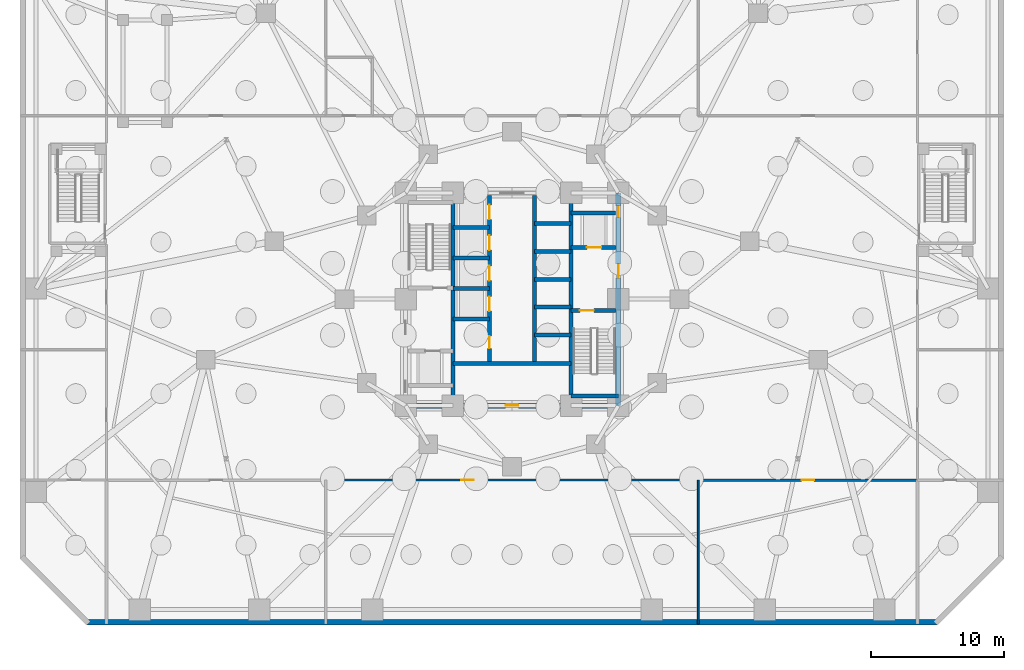
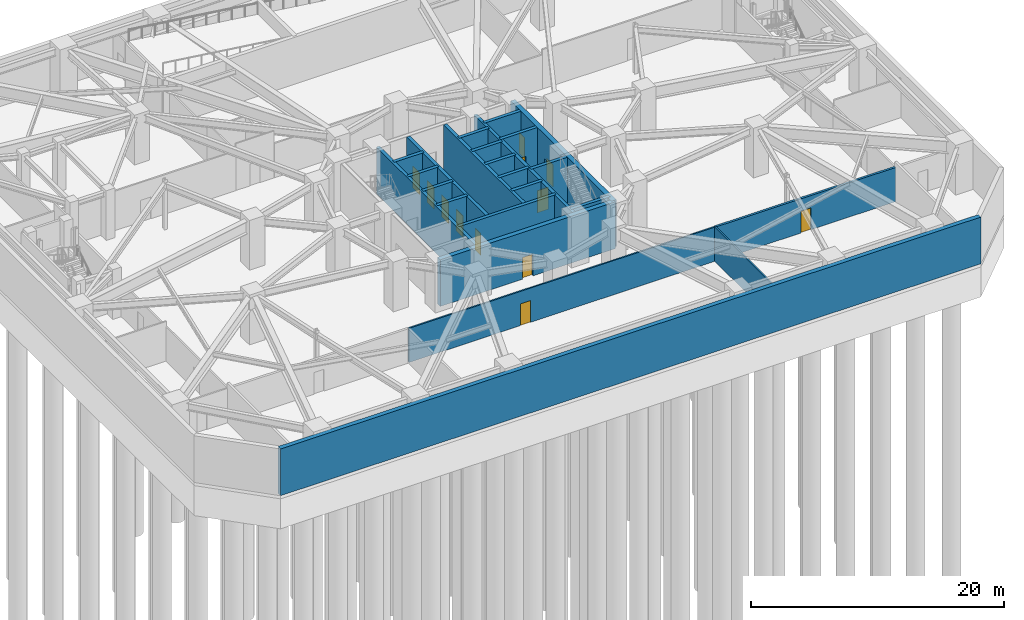
# One storey, part 13 of 20: 24 walls, 12 doors, 12 openings.
"""IFC4 building model written with IfcOpenShell, lengths in metres."""

from ifc_helpers import new_model, si_unit, direction, frame, frame_2d, origin, place, context, subcontext, project, spatial, rectangle, extrude, material, layer, layer_set, type_object, element, fill, save


model = new_model("IFC4")

# Units and contexts
model_context = context("Model", 3, precision=1e-05, world=origin(), true_north=direction((0.0, 1.0)))
body_context = subcontext(model_context, "Body", "Model", "MODEL_VIEW")
ifc_project = project(units=[si_unit("LENGTHUNIT", "METRE"), si_unit("AREAUNIT", "SQUARE_METRE"), si_unit("VOLUMEUNIT", "CUBIC_METRE"), si_unit("PLANEANGLEUNIT", "RADIAN"), si_unit("MASSUNIT", "GRAM", prefix="KILO")], contexts=[model_context])

# Site, building, storey
site_placement = place(None, origin())
site = spatial("IfcSite", under=ifc_project, at=site_placement, CompositionType="ELEMENT")
building_placement = place(site_placement, origin())
building = spatial("IfcBuilding", under=site, at=building_placement, Name="Terralouvre Media Tower", CompositionType="ELEMENT")
storey_placement = place(building_placement, frame((0.0, 0.0, -9.60009765625)))
storey = spatial("IfcBuildingStorey", under=building, at=storey_placement, Name="B02", CompositionType="ELEMENT", Elevation=-9.60009765625)

# Walls
ifc_material_1 = material(Name="Concrete C50/60", Category="concrete")
ifc_layer_1 = layer(ifc_material_1, 0.39990234375, Name="Basement Perimeter Retaining Wall EW-RC400")
ifc_layer_set_1 = layer_set([ifc_layer_1], Name="Concrete C50/60")
wall_type_1 = type_object("IfcWallType", Name="Basement Perimeter Retaining Wall EW-RC400", PredefinedType="USERDEFINED", material=ifc_layer_set_1)
wall_1_placement = place(storey_placement, frame((-32.0, -24.300048828125, 0.0), z_axis=(0.0, 0.0, 1.0), x_axis=(1.0, 0.0, 0.0)))
element("IfcWall", 1, at=wall_1_placement, inside=storey, type_object=wall_type_1, Name="B02 Perimeter Retaining Wall 01", ObjectType="RETAINING", PredefinedType="USERDEFINED", context=body_context, shape_type="SweptSolid", body=[
    extrude(rectangle(XDim=64.0, YDim=0.39990234375, at=frame_2d((32.0, 0.0))), origin(), (0.0, 0.0, 1.0), 4.52001953125),
])
ifc_material_2 = material(Name="Concrete C50/60", Category="concrete")
ifc_layer_2 = layer(ifc_material_2, 0.300048828125, Name="Core Internal Shaft Wall CW-300")
ifc_layer_set_2 = layer_set([ifc_layer_2], Name="Concrete C50/60")
wall_type_2 = type_object("IfcWallType", Name="Core Internal Shaft Wall CW-300", PredefinedType="SHEAR", material=ifc_layer_set_2)
for number, where, z_axis, x_axis, name in (
    (2, (-4.449951171875, -7.7900390625, 0.0), (0.0, 0.0, 1.0), (0.0, 1.0, 0.0), "B02 Core Shaft Wall SPW"),
    (3, (4.449951171875, -7.7900390625, 0.0), (0.0, 0.0, 1.0), (0.0, 1.0, 0.0), "B02 Core Shaft Wall SPE"),
):
    element("IfcWall", number, at=place(storey_placement, frame(where, z_axis=z_axis, x_axis=x_axis)), inside=storey, type_object=wall_type_2, Name=name, PredefinedType="SHEAR", context=body_context, shape_type="SweptSolid", body=[
        extrude(rectangle(XDim=15.580078125, YDim=0.300048828125, at=frame_2d((7.7900390625, 0.0))), origin(), (0.0, 0.0, 1.0), 4.52001953125),
    ])

# Wall, opening, door
wall_2_placement = place(storey_placement, frame((4.449951171875, -0.85009765625, 0.0), z_axis=(0.0, 0.0, 1.0), x_axis=(1.0, 0.0, 0.0)))
wall_2 = element("IfcWall", 4, at=wall_2_placement, inside=storey, type_object=wall_type_2, Name="B02 Core Shaft Wall ST2D", PredefinedType="SHEAR", context=body_context, shape_type="SweptSolid", body=[
    extrude(rectangle(XDim=3.340087890625, YDim=0.300048828125, at=frame_2d((1.669921875, 0.0))), origin(), (0.0, 0.0, 1.0), 4.52001953125),
])
opening_1_placement = place(wall_2_placement, frame((0.64990234375, 0.0, 0.0)))
opening_1 = element("IfcOpeningElement", 5, at=opening_1_placement, cuts=wall_2, Name="Opening FD-01-105X215", PredefinedType="OPENING", context=body_context, shape_type="SweptSolid", body=[
    extrude(rectangle(XDim=1.050048828125, YDim=2.14990234375, at=frame_2d((0.52490234375, 1.074951171875))), frame((0.0, 0.159912109375, 0.0), z_axis=(0.0, -1.0, 0.0), x_axis=(1.0, 0.0, 0.0)), (0.0, 0.0, 1.0), 0.320068359375),
])
ifc_material_3 = material(Name="Galvanised steel fire-resisting leaf", Category="steel")
door_type_1 = type_object("IfcDoorType", Name="Stair and Firefighting Lobby Fire Door FD-01 (1050x2150)", OperationType="NOTDEFINED", PredefinedType="DOOR", material=ifc_material_3)
door_1_placement = place(opening_1_placement, origin())
door_1 = element("IfcDoor", 6, at=door_1_placement, inside=storey, type_object=door_type_1, Name="B02 ST-02 Exit Stair Door", OperationType="SINGLE_SWING_RIGHT", OverallHeight=2.14990234375, OverallWidth=1.050048828125, PredefinedType="DOOR", context=body_context, shape_type="SweptSolid", body=[
    extrude(rectangle(XDim=1.050048828125, YDim=2.14990234375, at=frame_2d((0.52490234375, 1.074951171875))), frame((0.0, 0.02490234375, 0.0), z_axis=(0.0, -1.0, 0.0), x_axis=(1.0, 0.0, 0.0)), (0.0, 0.0, 1.0), 0.050048828125),
])
fill(opening_1, door_1)

# Wall
wall_3_placement = place(storey_placement, frame((4.449951171875, -7.260009765625, 0.0), z_axis=(0.0, 0.0, 1.0), x_axis=(1.0, 0.0, 0.0)))
element("IfcWall", 7, at=wall_3_placement, inside=storey, type_object=wall_type_2, Name="B02 Core Shaft Wall ST2F", PredefinedType="SHEAR", context=body_context, shape_type="SweptSolid", body=[
    extrude(rectangle(XDim=3.550048828125, YDim=0.300048828125, at=frame_2d((1.77490234375, 0.0))), origin(), (0.0, 0.0, 1.0), 4.52001953125),
])

# Wall, opening, door
wall_4_placement = place(storey_placement, frame((4.449951171875, 3.89990234375, 0.0), z_axis=(0.0, 0.0, 1.0), x_axis=(1.0, 0.0, 0.0)))
wall_4 = element("IfcWall", 8, at=wall_4_placement, inside=storey, type_object=wall_type_2, Name="B02 Core Shaft Wall FF2S", PredefinedType="SHEAR", context=body_context, shape_type="SweptSolid", body=[
    extrude(rectangle(XDim=3.340087890625, YDim=0.300048828125, at=frame_2d((1.669921875, 0.0))), origin(), (0.0, 0.0, 1.0), 4.52001953125),
])
opening_2_placement = place(wall_4_placement, frame((1.179931640625, 0.0, 0.0)))
opening_2 = element("IfcOpeningElement", 9, at=opening_2_placement, cuts=wall_4, Name="Opening LD-FF", PredefinedType="OPENING", context=body_context, shape_type="SweptSolid", body=[
    extrude(rectangle(XDim=1.10009765625, YDim=2.10009765625, at=frame_2d((0.550048828125, 1.050048828125))), frame((0.0, 0.159912109375, 0.0), z_axis=(0.0, -1.0, 0.0), x_axis=(1.0, 0.0, 0.0)), (0.0, 0.0, 1.0), 0.320068359375),
])
ifc_material_4 = material(Name="Stainless steel 316 handrail and balustrade", Category="steel")
door_type_2 = type_object("IfcDoorType", Name="Firefighting Lift Sliding Landing Door LD-FF", OperationType="SLIDING_TO_LEFT", PredefinedType="DOOR", material=ifc_material_4)
door_2_placement = place(opening_2_placement, origin())
door_2 = element("IfcDoor", 10, at=door_2_placement, inside=storey, type_object=door_type_2, Name="B02 Firefighting Lift FFL-02 Landing Door", OperationType="SLIDING_TO_LEFT", OverallHeight=2.10009765625, OverallWidth=1.10009765625, PredefinedType="DOOR", context=body_context, shape_type="SweptSolid", body=[
    extrude(rectangle(XDim=1.10009765625, YDim=2.10009765625, at=frame_2d((0.550048828125, 1.050048828125))), frame((0.0, 0.02490234375, 0.0), z_axis=(0.0, -1.0, 0.0), x_axis=(1.0, 0.0, 0.0)), (0.0, 0.0, 1.0), 0.050048828125),
])
fill(opening_2, door_2)

# Walls
wall_5_placement = place(storey_placement, frame((4.449951171875, 6.5, 0.0), z_axis=(0.0, 0.0, 1.0), x_axis=(1.0, 0.0, 0.0)))
element("IfcWall", 11, at=wall_5_placement, inside=storey, type_object=wall_type_2, Name="B02 Core Shaft Wall FF2N", PredefinedType="SHEAR", context=body_context, shape_type="SweptSolid", body=[
    extrude(rectangle(XDim=3.340087890625, YDim=0.300048828125, at=frame_2d((1.669921875, 0.0))), origin(), (0.0, 0.0, 1.0), 4.52001953125),
])
wall_6_placement = place(storey_placement, frame((-4.449951171875, -4.85009765625, 0.0), z_axis=(0.0, 0.0, 1.0), x_axis=(1.0, 0.0, 0.0)))
element("IfcWall", 12, at=wall_6_placement, inside=storey, type_object=wall_type_2, Name="B02 Core Shaft Wall CSBN", PredefinedType="SHEAR", context=body_context, shape_type="SweptSolid", body=[
    extrude(rectangle(XDim=8.89990234375, YDim=0.300048828125, at=frame_2d((4.449951171875, 0.0))), origin(), (0.0, 0.0, 1.0), 4.52001953125),
])

# Wall, openings, doors
wall_7_placement = place(storey_placement, frame((-1.679931640625, -4.85009765625, 0.0), z_axis=(0.0, 0.0, 1.0), x_axis=(0.0, 1.0, 0.0)))
wall_7 = element("IfcWall", 13, at=wall_7_placement, inside=storey, type_object=wall_type_2, Name="B02 Core Shaft Wall LBW", PredefinedType="SHEAR", context=body_context, shape_type="SweptSolid", body=[
    extrude(rectangle(XDim=12.64013671875, YDim=0.300048828125, at=frame_2d((6.320068359375, 0.0))), origin(), (0.0, 0.0, 1.0), 4.52001953125),
])
opening_3_placement = place(wall_7_placement, frame((3.949951171875, 0.0, 0.0)))
opening_3 = element("IfcOpeningElement", 14, at=opening_3_placement, cuts=wall_7, Name="Opening LD-PL", PredefinedType="OPENING", context=body_context, shape_type="SweptSolid", body=[
    extrude(rectangle(XDim=1.10009765625, YDim=2.10009765625, at=frame_2d((0.550048828125, 1.050048828125))), frame((0.0, 0.159912109375, 0.0), z_axis=(0.0, -1.0, 0.0), x_axis=(1.0, 0.0, 0.0)), (0.0, 0.0, 1.0), 0.320068359375),
])
opening_4_placement = place(wall_7_placement, frame((6.25, 0.0, 0.0)))
opening_4 = element("IfcOpeningElement", 15, at=opening_4_placement, cuts=wall_7, Name="Opening LD-PL", PredefinedType="OPENING", context=body_context, shape_type="SweptSolid", body=[
    extrude(rectangle(XDim=1.10009765625, YDim=2.10009765625, at=frame_2d((0.550048828125, 1.050048828125))), frame((0.0, 0.159912109375, 0.0), z_axis=(0.0, -1.0, 0.0), x_axis=(1.0, 0.0, 0.0)), (0.0, 0.0, 1.0), 0.320068359375),
])
opening_5_placement = place(wall_7_placement, frame((8.550048828125, 0.0, 0.0)))
opening_5 = element("IfcOpeningElement", 16, at=opening_5_placement, cuts=wall_7, Name="Opening LD-PL", PredefinedType="OPENING", context=body_context, shape_type="SweptSolid", body=[
    extrude(rectangle(XDim=1.10009765625, YDim=2.10009765625, at=frame_2d((0.550048828125, 1.050048828125))), frame((0.0, 0.159912109375, 0.0), z_axis=(0.0, -1.0, 0.0), x_axis=(1.0, 0.0, 0.0)), (0.0, 0.0, 1.0), 0.320068359375),
])
opening_6_placement = place(wall_7_placement, frame((10.85009765625, 0.0, 0.0)))
opening_6 = element("IfcOpeningElement", 17, at=opening_6_placement, cuts=wall_7, Name="Opening LD-PL", PredefinedType="OPENING", context=body_context, shape_type="SweptSolid", body=[
    extrude(rectangle(XDim=1.10009765625, YDim=2.10009765625, at=frame_2d((0.550048828125, 1.050048828125))), frame((0.0, 0.159912109375, 0.0), z_axis=(0.0, -1.0, 0.0), x_axis=(1.0, 0.0, 0.0)), (0.0, 0.0, 1.0), 0.320068359375),
])
opening_7_placement = place(wall_7_placement, frame((1.14990234375, 0.0, 0.0)))
opening_7 = element("IfcOpeningElement", 18, at=opening_7_placement, cuts=wall_7, Name="Opening FD-05-92X210", PredefinedType="OPENING", context=body_context, shape_type="SweptSolid", body=[
    extrude(rectangle(XDim=0.919921875, YDim=2.10009765625, at=frame_2d((0.4599609375, 1.050048828125))), frame((0.0, 0.159912109375, 0.0), z_axis=(0.0, -1.0, 0.0), x_axis=(1.0, 0.0, 0.0)), (0.0, 0.0, 1.0), 0.320068359375),
])
ifc_material_5 = material(Name="Galvanised steel fire-resisting leaf", Category="steel")
door_type_3 = type_object("IfcDoorType", Name="Core Accessible Closet Fire Door FD-05 (920x2100)", OperationType="NOTDEFINED", PredefinedType="DOOR", material=ifc_material_5)
door_3_placement = place(opening_7_placement, origin())
door_3 = element("IfcDoor", 19, at=door_3_placement, inside=storey, type_object=door_type_3, Name="B02 Core Cleaners Closet Door", OperationType="SINGLE_SWING_LEFT", OverallHeight=2.10009765625, OverallWidth=0.919921875, PredefinedType="DOOR", context=body_context, shape_type="SweptSolid", body=[
    extrude(rectangle(XDim=0.919921875, YDim=2.10009765625, at=frame_2d((0.4599609375, 1.050048828125))), frame((0.0, 0.02490234375, 0.0), z_axis=(0.0, -1.0, 0.0), x_axis=(1.0, 0.0, 0.0)), (0.0, 0.0, 1.0), 0.050048828125),
])
fill(opening_7, door_3)
ifc_material_6 = material(Name="Stainless steel 316 handrail and balustrade", Category="steel")
door_type_4 = type_object("IfcDoorType", Name="Passenger Lift Sliding Landing Door LD-PL", OperationType="SLIDING_TO_LEFT", PredefinedType="DOOR", material=ifc_material_6)
door_4_placement = place(opening_3_placement, origin())
door_4 = element("IfcDoor", 20, at=door_4_placement, inside=storey, type_object=door_type_4, Name="B02 Low-Rise Lift PL-L1 Landing Door", OperationType="SLIDING_TO_LEFT", OverallHeight=2.10009765625, OverallWidth=1.10009765625, PredefinedType="DOOR", context=body_context, shape_type="SweptSolid", body=[
    extrude(rectangle(XDim=1.10009765625, YDim=2.10009765625, at=frame_2d((0.550048828125, 1.050048828125))), frame((0.0, 0.02490234375, 0.0), z_axis=(0.0, -1.0, 0.0), x_axis=(1.0, 0.0, 0.0)), (0.0, 0.0, 1.0), 0.050048828125),
])
fill(opening_3, door_4)
door_5_placement = place(opening_4_placement, origin())
door_5 = element("IfcDoor", 21, at=door_5_placement, inside=storey, type_object=door_type_4, Name="B02 Low-Rise Lift PL-L2 Landing Door", OperationType="SLIDING_TO_LEFT", OverallHeight=2.10009765625, OverallWidth=1.10009765625, PredefinedType="DOOR", context=body_context, shape_type="SweptSolid", body=[
    extrude(rectangle(XDim=1.10009765625, YDim=2.10009765625, at=frame_2d((0.550048828125, 1.050048828125))), frame((0.0, 0.02490234375, 0.0), z_axis=(0.0, -1.0, 0.0), x_axis=(1.0, 0.0, 0.0)), (0.0, 0.0, 1.0), 0.050048828125),
])
fill(opening_4, door_5)
door_6_placement = place(opening_5_placement, origin())
door_6 = element("IfcDoor", 22, at=door_6_placement, inside=storey, type_object=door_type_4, Name="B02 Low-Rise Lift PL-L3 Landing Door", OperationType="SLIDING_TO_LEFT", OverallHeight=2.10009765625, OverallWidth=1.10009765625, PredefinedType="DOOR", context=body_context, shape_type="SweptSolid", body=[
    extrude(rectangle(XDim=1.10009765625, YDim=2.10009765625, at=frame_2d((0.550048828125, 1.050048828125))), frame((0.0, 0.02490234375, 0.0), z_axis=(0.0, -1.0, 0.0), x_axis=(1.0, 0.0, 0.0)), (0.0, 0.0, 1.0), 0.050048828125),
])
fill(opening_5, door_6)
door_7_placement = place(opening_6_placement, origin())
door_7 = element("IfcDoor", 23, at=door_7_placement, inside=storey, type_object=door_type_4, Name="B02 Low-Rise Lift PL-L4 Landing Door", OperationType="SLIDING_TO_LEFT", OverallHeight=2.10009765625, OverallWidth=1.10009765625, PredefinedType="DOOR", context=body_context, shape_type="SweptSolid", body=[
    extrude(rectangle(XDim=1.10009765625, YDim=2.10009765625, at=frame_2d((0.550048828125, 1.050048828125))), frame((0.0, 0.02490234375, 0.0), z_axis=(0.0, -1.0, 0.0), x_axis=(1.0, 0.0, 0.0)), (0.0, 0.0, 1.0), 0.050048828125),
])
fill(opening_6, door_7)

# Walls
wall_8_placement = place(storey_placement, frame((1.679931640625, -4.85009765625, 0.0), z_axis=(0.0, 0.0, 1.0), x_axis=(0.0, 1.0, 0.0)))
element("IfcWall", 24, at=wall_8_placement, inside=storey, type_object=wall_type_2, Name="B02 Core Shaft Wall LBE", PredefinedType="SHEAR", context=body_context, shape_type="SweptSolid", body=[
    extrude(rectangle(XDim=12.64013671875, YDim=0.300048828125, at=frame_2d((6.320068359375, 0.0))), origin(), (0.0, 0.0, 1.0), 4.52001953125),
])
for number, where, z_axis, x_axis, name in (
    (25, (-4.449951171875, -1.5, 0.0), (0.0, 0.0, 1.0), (1.0, 0.0, 0.0), "B02 Core Shaft Wall PLLD0"),
    (26, (-4.449951171875, 0.800048828125, 0.0), (0.0, 0.0, 1.0), (1.0, 0.0, 0.0), "B02 Core Shaft Wall PLLD1"),
    (27, (-4.449951171875, 3.10009765625, 0.0), (0.0, 0.0, 1.0), (1.0, 0.0, 0.0), "B02 Core Shaft Wall PLLD2"),
    (28, (-4.449951171875, 5.39990234375, 0.0), (0.0, 0.0, 1.0), (1.0, 0.0, 0.0), "B02 Core Shaft Wall PLLD3"),
    (29, (1.679931640625, 1.5, 0.0), (0.0, 0.0, 1.0), (1.0, 0.0, 0.0), "B02 Core Shaft Wall PLMD0"),
    (30, (1.679931640625, 3.60009765625, 0.0), (0.0, 0.0, 1.0), (1.0, 0.0, 0.0), "B02 Core Shaft Wall PLMD1"),
    (31, (1.679931640625, 5.699951171875, 0.0), (0.0, 0.0, 1.0), (1.0, 0.0, 0.0), "B02 Core Shaft Wall PLMD2"),
    (32, (1.679931640625, -2.699951171875, 0.0), (0.0, 0.0, 1.0), (1.0, 0.0, 0.0), "B02 Core Shaft Wall PLHD1"),
    (33, (1.679931640625, -0.60009765625, 0.0), (0.0, 0.0, 1.0), (1.0, 0.0, 0.0), "B02 Core Shaft Wall PLHD2"),
):
    element("IfcWall", number, at=place(storey_placement, frame(where, z_axis=z_axis, x_axis=x_axis)), inside=storey, type_object=wall_type_2, Name=name, PredefinedType="SHEAR", context=body_context, shape_type="SweptSolid", body=[
        extrude(rectangle(XDim=2.77001953125, YDim=0.300048828125, at=frame_2d((1.385009765625, 0.0))), origin(), (0.0, 0.0, 1.0), 4.52001953125),
    ])

# Wall, openings, doors
ifc_material_7 = material(Name="Concrete C60/75", Category="concrete")
ifc_layer_3 = layer(ifc_material_7, 0.419921875, Name="Core Reinforced Concrete Shear Wall CW-420")
ifc_layer_set_3 = layer_set([ifc_layer_3], Name="Concrete C60/75")
wall_type_3 = type_object("IfcWallType", Name="Core Reinforced Concrete Shear Wall CW-420", PredefinedType="SHEAR", material=ifc_layer_set_3)
wall_9_placement = place(storey_placement, frame((8.0, -8.0, 0.0), z_axis=(0.0, 0.0, 1.0), x_axis=(0.0, 1.0, 0.0)))
wall_9 = element("IfcWall", 34, at=wall_9_placement, inside=storey, type_object=wall_type_3, Name="B02 E Core Shear Wall", PredefinedType="SHEAR", context=body_context, shape_type="SweptSolid", body=[
    extrude(rectangle(XDim=16.0, YDim=0.419921875, at=frame_2d((8.0, 0.0))), origin(), (0.0, 0.0, 1.0), 4.52001953125),
])
opening_8_placement = place(wall_9_placement, frame((9.60009765625, 0.0, 0.0)))
opening_8 = element("IfcOpeningElement", 35, at=opening_8_placement, cuts=wall_9, Name="Opening FD-01-105X215", PredefinedType="OPENING", context=body_context, shape_type="SweptSolid", body=[
    extrude(rectangle(XDim=1.050048828125, YDim=2.14990234375, at=frame_2d((0.52490234375, 1.074951171875))), frame((0.0, 0.219970703125, 0.0), z_axis=(0.0, -1.0, 0.0), x_axis=(1.0, 0.0, 0.0)), (0.0, 0.0, 1.0), 0.43994140625),
])
opening_9_placement = place(wall_9_placement, frame((14.148193359375, 0.0, 0.0)))
opening_9 = element("IfcOpeningElement", 36, at=opening_9_placement, cuts=wall_9, Name="Opening TD-R1", PredefinedType="OPENING", context=body_context, shape_type="SweptSolid", body=[
    extrude(rectangle(XDim=0.85009765625, YDim=2.02001953125, at=frame_2d((0.425048828125, 1.010009765625))), frame((0.0, 0.219970703125, 0.0), z_axis=(0.0, -1.0, 0.0), x_axis=(1.0, 0.0, 0.0)), (0.0, 0.0, 1.0), 0.43994140625),
])
ifc_material_8 = material(Name="Galvanised steel fire-resisting leaf", Category="steel")
door_type_5 = type_object("IfcDoorType", Name="Riser Inspection Access Trapdoor TD-R1", OperationType="NOTDEFINED", PredefinedType="TRAPDOOR", material=ifc_material_8)
door_8_placement = place(opening_9_placement, origin())
door_8 = element("IfcDoor", 37, at=door_8_placement, inside=storey, type_object=door_type_5, Name="B02 East Comms Riser Access Trapdoor", OperationType="SINGLE_SWING_RIGHT", OverallHeight=2.02001953125, OverallWidth=0.85009765625, PredefinedType="TRAPDOOR", context=body_context, shape_type="SweptSolid", body=[
    extrude(rectangle(XDim=0.85009765625, YDim=2.02001953125, at=frame_2d((0.425048828125, 1.010009765625))), frame((0.0, 0.02490234375, 0.0), z_axis=(0.0, -1.0, 0.0), x_axis=(1.0, 0.0, 0.0)), (0.0, 0.0, 1.0), 0.050048828125),
])
fill(opening_9, door_8)
door_9_placement = place(opening_8_placement, origin())
door_9 = element("IfcDoor", 38, at=door_9_placement, inside=storey, type_object=door_type_1, Name="B02 East Firefighting Lobby Entry Door", OperationType="SINGLE_SWING_LEFT", OverallHeight=2.14990234375, OverallWidth=1.050048828125, PredefinedType="DOOR", context=body_context, shape_type="SweptSolid", body=[
    extrude(rectangle(XDim=1.050048828125, YDim=2.14990234375, at=frame_2d((0.52490234375, 1.074951171875))), frame((0.0, 0.02490234375, 0.0), z_axis=(0.0, -1.0, 0.0), x_axis=(1.0, 0.0, 0.0)), (0.0, 0.0, 1.0), 0.050048828125),
])
fill(opening_8, door_9)

# Wall, opening, door
wall_10_placement = place(storey_placement, frame((-8.0, -8.0, 0.0), z_axis=(0.0, 0.0, 1.0), x_axis=(1.0, 0.0, 0.0)))
wall_10 = element("IfcWall", 39, at=wall_10_placement, inside=storey, type_object=wall_type_3, Name="B02 S Core Shear Wall", PredefinedType="SHEAR", context=body_context, shape_type="SweptSolid", body=[
    extrude(rectangle(XDim=16.0, YDim=0.419921875, at=frame_2d((8.0, 0.0))), origin(), (0.0, 0.0, 1.0), 4.52001953125),
])
opening_10_placement = place(wall_10_placement, frame((7.52001953125, 0.0, 0.0)))
opening_10 = element("IfcOpeningElement", 40, at=opening_10_placement, cuts=wall_10, Name="Opening FD-02-95X210", PredefinedType="OPENING", context=body_context, shape_type="SweptSolid", body=[
    extrude(rectangle(XDim=0.949951171875, YDim=2.10009765625, at=frame_2d((0.47509765625, 1.050048828125))), frame((0.0, 0.219970703125, 0.0), z_axis=(0.0, -1.0, 0.0), x_axis=(1.0, 0.0, 0.0)), (0.0, 0.0, 1.0), 0.43994140625),
])
ifc_material_9 = material(Name="Galvanised steel fire-resisting leaf", Category="steel")
door_type_6 = type_object("IfcDoorType", Name="Plant and Riser Fire Door FD-02 (950x2100)", OperationType="NOTDEFINED", PredefinedType="DOOR", material=ifc_material_9)
door_10_placement = place(opening_10_placement, origin())
door_10 = element("IfcDoor", 41, at=door_10_placement, inside=storey, type_object=door_type_6, Name="B02 Core Switchgear Plant Door", OperationType="SINGLE_SWING_LEFT", OverallHeight=2.10009765625, OverallWidth=0.949951171875, PredefinedType="DOOR", context=body_context, shape_type="SweptSolid", body=[
    extrude(rectangle(XDim=0.949951171875, YDim=2.10009765625, at=frame_2d((0.47509765625, 1.050048828125))), frame((0.0, 0.02490234375, 0.0), z_axis=(0.0, -1.0, 0.0), x_axis=(1.0, 0.0, 0.0)), (0.0, 0.0, 1.0), 0.050048828125),
])
fill(opening_10, door_10)

ifc_material_10 = material(Name="Fire-rated gypsum board drywall partition")
ifc_layer_4 = layer(ifc_material_10, 0.199951171875, Name="Fire-Rated Shaft and Lobby Partition FW-200")
ifc_layer_set_4 = layer_set([ifc_layer_4], Name="Fire-rated gypsum board drywall partition")
wall_type_4 = type_object("IfcWallType", Name="Fire-Rated Shaft and Lobby Partition FW-200", PredefinedType="SOLIDWALL", material=ifc_layer_set_4)
wall_11_placement = place(storey_placement, frame((14.0, -13.60009765625, 0.0), z_axis=(0.0, 0.0, 1.0), x_axis=(1.0, 0.0, 0.0)))
wall_11 = element("IfcWall", 42, at=wall_11_placement, inside=storey, type_object=wall_type_4, Name="B02 Interior Partition 004", PredefinedType="SOLIDWALL", context=body_context, shape_type="SweptSolid", body=[
    extrude(rectangle(XDim=16.5, YDim=0.199951171875, at=frame_2d((8.25, 0.0))), origin(), (0.0, 0.0, 1.0), 3.30517578125),
])
opening_11_placement = place(wall_11_placement, frame((7.77490234375, 0.0, 0.0)))
opening_11 = element("IfcOpeningElement", 43, at=opening_11_placement, cuts=wall_11, Name="Opening FD-02-95X210", PredefinedType="OPENING", context=body_context, shape_type="SweptSolid", body=[
    extrude(rectangle(XDim=0.949951171875, YDim=2.10009765625, at=frame_2d((0.47509765625, 1.050048828125))), frame((0.0, 0.10986328125, 0.0), z_axis=(0.0, -1.0, 0.0), x_axis=(1.0, 0.0, 0.0)), (0.0, 0.0, 1.0), 0.219970703125),
])
door_11_placement = place(opening_11_placement, origin())
door_11 = element("IfcDoor", 44, at=door_11_placement, inside=storey, type_object=door_type_6, Name="B02 B02 Domestic Water and Fire Pump Plant Room Door", OperationType="SINGLE_SWING_LEFT", OverallHeight=2.10009765625, OverallWidth=0.949951171875, PredefinedType="DOOR", context=body_context, shape_type="SweptSolid", body=[
    extrude(rectangle(XDim=0.949951171875, YDim=2.10009765625, at=frame_2d((0.47509765625, 1.050048828125))), frame((0.0, 0.02490234375, 0.0), z_axis=(0.0, -1.0, 0.0), x_axis=(1.0, 0.0, 0.0)), (0.0, 0.0, 1.0), 0.050048828125),
])
fill(opening_11, door_11)

ifc_material_11 = material(Name="Fire-rated gypsum board drywall partition")
ifc_layer_5 = layer(ifc_material_11, 0.135009765625, Name="Newsroom Acoustic Partition PT-135")
ifc_layer_set_5 = layer_set([ifc_layer_5], Name="Fire-rated gypsum board drywall partition")
wall_type_5 = type_object("IfcWallType", Name="Newsroom Acoustic Partition PT-135", PredefinedType="PARTITIONING", material=ifc_layer_set_5)
wall_12_placement = place(storey_placement, frame((-14.0, -13.60009765625, 0.0), z_axis=(0.0, 0.0, 1.0), x_axis=(1.0, 0.0, 0.0)))
wall_12 = element("IfcWall", 45, at=wall_12_placement, inside=storey, type_object=wall_type_5, Name="B02 Interior Partition 003", PredefinedType="PARTITIONING", context=body_context, shape_type="SweptSolid", body=[
    extrude(rectangle(XDim=28.0, YDim=0.135009765625, at=frame_2d((14.0, 0.0))), origin(), (0.0, 0.0, 1.0), 3.30517578125),
])
opening_12_placement = place(wall_12_placement, frame((10.1650390625, 0.0, 0.0)))
opening_12 = element("IfcOpeningElement", 46, at=opening_12_placement, cuts=wall_12, Name="Opening ID-02-95X210", PredefinedType="OPENING", context=body_context, shape_type="SweptSolid", body=[
    extrude(rectangle(XDim=0.949951171875, YDim=2.10009765625, at=frame_2d((0.47509765625, 1.050048828125))), frame((0.0, 0.077392578125, 0.0), z_axis=(0.0, -1.0, 0.0), x_axis=(1.0, 0.0, 0.0)), (0.0, 0.0, 1.0), 0.155029296875),
])
ifc_material_12 = material(Name="Engineered hardwood acoustic timber leaf", Category="wood")
door_type_7 = type_object("IfcDoorType", Name="Office and Meeting Room Door ID-02 (950x2100)", OperationType="NOTDEFINED", PredefinedType="DOOR", material=ifc_material_12)
door_12_placement = place(opening_12_placement, origin())
door_12 = element("IfcDoor", 47, at=door_12_placement, inside=storey, type_object=door_type_7, Name="B02 B02 OB Van Technical Servicing Store Door", OperationType="SINGLE_SWING_RIGHT", OverallHeight=2.10009765625, OverallWidth=0.949951171875, PredefinedType="DOOR", context=body_context, shape_type="SweptSolid", body=[
    extrude(rectangle(XDim=0.949951171875, YDim=2.10009765625, at=frame_2d((0.47509765625, 1.050048828125))), frame((0.0, 0.02490234375, 0.0), z_axis=(0.0, -1.0, 0.0), x_axis=(1.0, 0.0, 0.0)), (0.0, 0.0, 1.0), 0.050048828125),
])
fill(opening_12, door_12)

# Wall
wall_13_placement = place(storey_placement, frame((14.0, -24.419921875, 0.0), z_axis=(0.0, 0.0, 1.0), x_axis=(0.0, 1.0, 0.0)))
element("IfcWall", 48, at=wall_13_placement, inside=storey, type_object=wall_type_5, Name="B02 Interior Partition 018", PredefinedType="PARTITIONING", context=body_context, shape_type="SweptSolid", body=[
    extrude(rectangle(XDim=10.81982421875, YDim=0.135009765625, at=frame_2d((5.409912109375, 0.0))), origin(), (0.0, 0.0, 1.0), 3.30517578125),
])

save(model, "model.ifc")
